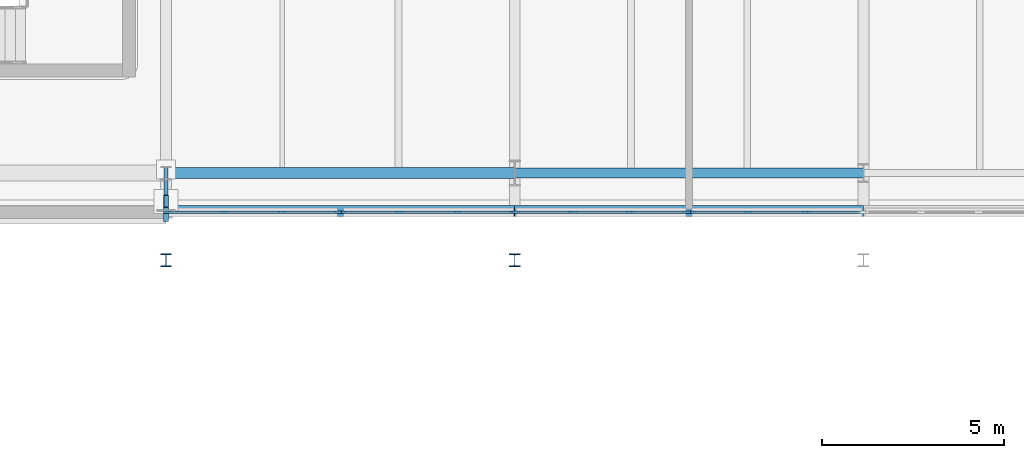
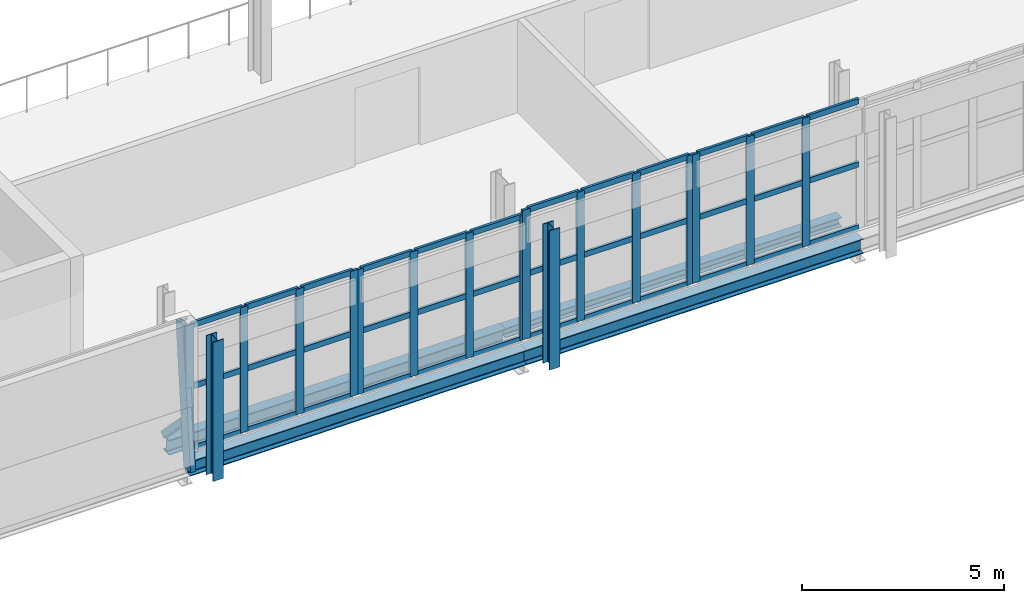
# One storey, part 19 of 57: 55 members, 4 beams, 4 elements without a shape of their own.
"""IFC4 building model written with IfcOpenShell, lengths in metres."""

from ifc_helpers import new_model, si_unit, direction, frame, origin, origin_2d, place, context, subcontext, project, spatial, rectangle, hollow_rectangle, i_section, extrude, material, layer, layer_set, material_profile, profile_set, type_object, element, aggregate, save


model = new_model("IFC4")

# Units and contexts
model_context = context("Model", 3, precision=1e-05, world=origin(), true_north=direction((0.0, 1.0)))
body_context = subcontext(model_context, "Body", "Model", "MODEL_VIEW")
ifc_project = project(units=[si_unit("LENGTHUNIT", "METRE"), si_unit("AREAUNIT", "SQUARE_METRE"), si_unit("VOLUMEUNIT", "CUBIC_METRE"), si_unit("PLANEANGLEUNIT", "RADIAN"), si_unit("MASSUNIT", "GRAM", prefix="KILO")], contexts=[model_context])

# Site, building, storey
site_placement = place(None, origin())
site = spatial("IfcSite", under=ifc_project, at=site_placement, CompositionType="ELEMENT")
building_placement = place(site_placement, origin())
building = spatial("IfcBuilding", under=site, at=building_placement, Name="Zereglee Splitstone Museum", CompositionType="ELEMENT")
storey_placement = place(building_placement, frame((0.0, 0.0, 17.10009765625)))
storey = spatial("IfcBuildingStorey", under=building, at=storey_placement, Name="L03", CompositionType="ELEMENT", Elevation=17.10009765625)

# Curtain wall, members
ifc_material_1 = material(Name="Triple-glazed low-E argon glass and bronze-anodised aluminium", Category="aluminium")
ifc_layer_1 = layer(ifc_material_1, 0.219970703125)
ifc_layer_set_1 = layer_set([ifc_layer_1], Name="Triple-glazed low-E argon glass and bronze-anodised aluminium")
curtain_wall_type_1 = type_object("IfcCurtainWallType", Name="CW-0476-378", PredefinedType="USERDEFINED", material=ifc_layer_set_1)
curtain_wall_1_placement = place(storey_placement, origin())
curtain_wall_1 = element("IfcCurtainWall", 1, at=curtain_wall_1_placement, inside=storey, type_object=curtain_wall_type_1, Name="Glazed Curtain Wall CW-0476-378 (L03)", ObjectType="GLAZED CURTAIN WALL", PredefinedType="USERDEFINED")
ifc_material_2 = material(Name="Thermally broken bronze-anodised aluminium", Category="aluminium")
ifc_material_profile_1 = material_profile(ifc_material_2, rectangle(XDim=0.074951171875, YDim=0.219970703125, at=origin_2d()), Name="CW MULL 75x220")
ifc_profile_set_1 = profile_set([ifc_material_profile_1], Name="Thermally broken bronze-anodised aluminium")
member_type_1 = type_object("IfcMemberType", Name="CWM-02", PredefinedType="MULLION", material=ifc_profile_set_1)
member_1_placement = place(storey_placement, frame((97.237548828125, 8.52001953125, 0.0), z_axis=(0.0, 0.0, 1.0), x_axis=(0.0, 1.0, 0.0)))
member_1 = element("IfcMember", 2, at=member_1_placement, type_object=member_type_1, Name="CW-0476-378 mullion 1", PredefinedType="MULLION", context=body_context, shape_type="SweptSolid", body=[
    extrude(rectangle(XDim=0.074951171875, YDim=0.219970703125, at=origin_2d()), origin(), (0.0, 0.0, 1.0), 3.77978515625),
])
member_2_placement = place(storey_placement, frame((98.78662109375, 8.52001953125, 0.0), z_axis=(0.0, 0.0, 1.0), x_axis=(0.0, 1.0, 0.0)))
member_2 = element("IfcMember", 3, at=member_2_placement, type_object=member_type_1, Name="CW-0476-378 mullion 2", PredefinedType="MULLION", context=body_context, shape_type="SweptSolid", body=[
    extrude(rectangle(XDim=0.074951171875, YDim=0.219970703125, at=origin_2d()), origin(), (0.0, 0.0, 1.0), 3.77978515625),
])
member_3_placement = place(storey_placement, frame((100.373291015625, 8.52001953125, 0.0), z_axis=(0.0, 0.0, 1.0), x_axis=(0.0, 1.0, 0.0)))
member_3 = element("IfcMember", 4, at=member_3_placement, type_object=member_type_1, Name="CW-0476-378 mullion 3", PredefinedType="MULLION", context=body_context, shape_type="SweptSolid", body=[
    extrude(rectangle(XDim=0.074951171875, YDim=0.219970703125, at=origin_2d()), origin(), (0.0, 0.0, 1.0), 3.77978515625),
])
member_4_placement = place(storey_placement, frame((101.922607421875, 8.52001953125, 0.0), z_axis=(0.0, 0.0, 1.0), x_axis=(0.0, 1.0, 0.0)))
member_4 = element("IfcMember", 5, at=member_4_placement, type_object=member_type_1, Name="CW-0476-378 mullion 4", PredefinedType="MULLION", context=body_context, shape_type="SweptSolid", body=[
    extrude(rectangle(XDim=0.074951171875, YDim=0.219970703125, at=origin_2d()), origin(), (0.0, 0.0, 1.0), 3.77978515625),
])

ifc_layer_2 = layer(ifc_material_1, 0.219970703125)
ifc_layer_set_2 = layer_set([ifc_layer_2], Name="Triple-glazed low-E argon glass and bronze-anodised aluminium")
curtain_wall_type_2 = type_object("IfcCurtainWallType", Name="CW-0476-376", PredefinedType="USERDEFINED", material=ifc_layer_set_2)
curtain_wall_2_placement = place(storey_placement, origin())
curtain_wall_2 = element("IfcCurtainWall", 6, at=curtain_wall_2_placement, inside=storey, type_object=curtain_wall_type_2, Name="Glazed Curtain Wall CW-0476-376 (L03)", ObjectType="GLAZED CURTAIN WALL", PredefinedType="USERDEFINED")
member_5_placement = place(storey_placement, frame((102.077392578125, 8.52001953125, 0.0), z_axis=(0.0, 0.0, 1.0), x_axis=(0.0, 1.0, 0.0)))
member_5 = element("IfcMember", 7, at=member_5_placement, type_object=member_type_1, Name="CW-0476-376 mullion 1", PredefinedType="MULLION", context=body_context, shape_type="SweptSolid", body=[
    extrude(rectangle(XDim=0.074951171875, YDim=0.219970703125, at=origin_2d()), origin(), (0.0, 0.0, 1.0), 3.760009765625),
])
member_6_placement = place(storey_placement, frame((103.626708984375, 8.52001953125, 0.0), z_axis=(0.0, 0.0, 1.0), x_axis=(0.0, 1.0, 0.0)))
member_6 = element("IfcMember", 8, at=member_6_placement, type_object=member_type_1, Name="CW-0476-376 mullion 2", PredefinedType="MULLION", context=body_context, shape_type="SweptSolid", body=[
    extrude(rectangle(XDim=0.074951171875, YDim=0.219970703125, at=origin_2d()), origin(), (0.0, 0.0, 1.0), 3.760009765625),
])
member_7_placement = place(storey_placement, frame((105.21337890625, 8.52001953125, 0.0), z_axis=(0.0, 0.0, 1.0), x_axis=(0.0, 1.0, 0.0)))
member_7 = element("IfcMember", 9, at=member_7_placement, type_object=member_type_1, Name="CW-0476-376 mullion 3", PredefinedType="MULLION", context=body_context, shape_type="SweptSolid", body=[
    extrude(rectangle(XDim=0.074951171875, YDim=0.219970703125, at=origin_2d()), origin(), (0.0, 0.0, 1.0), 3.760009765625),
])
member_8_placement = place(storey_placement, frame((106.762451171875, 8.52001953125, 0.0), z_axis=(0.0, 0.0, 1.0), x_axis=(0.0, 1.0, 0.0)))
member_8 = element("IfcMember", 10, at=member_8_placement, type_object=member_type_1, Name="CW-0476-376 mullion 4", PredefinedType="MULLION", context=body_context, shape_type="SweptSolid", body=[
    extrude(rectangle(XDim=0.074951171875, YDim=0.219970703125, at=origin_2d()), origin(), (0.0, 0.0, 1.0), 3.760009765625),
])

ifc_layer_3 = layer(ifc_material_1, 0.219970703125)
ifc_layer_set_3 = layer_set([ifc_layer_3], Name="Triple-glazed low-E argon glass and bronze-anodised aluminium")
curtain_wall_type_3 = type_object("IfcCurtainWallType", Name="CW-0476-390", PredefinedType="USERDEFINED", material=ifc_layer_set_3)
curtain_wall_3_placement = place(storey_placement, origin())
curtain_wall_3 = element("IfcCurtainWall", 11, at=curtain_wall_3_placement, inside=storey, type_object=curtain_wall_type_3, Name="Glazed Curtain Wall CW-0476-390 (L03)", ObjectType="GLAZED CURTAIN WALL", PredefinedType="USERDEFINED")
member_9_placement = place(storey_placement, frame((106.83740234375, 8.52001953125, 0.0), z_axis=(0.0, 0.0, 1.0), x_axis=(0.0, 1.0, 0.0)))
member_9 = element("IfcMember", 12, at=member_9_placement, type_object=member_type_1, Name="CW-0476-390 mullion 1", PredefinedType="MULLION", context=body_context, shape_type="SweptSolid", body=[
    extrude(rectangle(XDim=0.074951171875, YDim=0.219970703125, at=origin_2d()), origin(), (0.0, 0.0, 1.0), 3.89990234375),
])
member_10_placement = place(storey_placement, frame((108.38671875, 8.52001953125, 0.0), z_axis=(0.0, 0.0, 1.0), x_axis=(0.0, 1.0, 0.0)))
member_10 = element("IfcMember", 13, at=member_10_placement, type_object=member_type_1, Name="CW-0476-390 mullion 2", PredefinedType="MULLION", context=body_context, shape_type="SweptSolid", body=[
    extrude(rectangle(XDim=0.074951171875, YDim=0.219970703125, at=origin_2d()), origin(), (0.0, 0.0, 1.0), 3.89990234375),
])
member_11_placement = place(storey_placement, frame((109.973388671875, 8.52001953125, 0.0), z_axis=(0.0, 0.0, 1.0), x_axis=(0.0, 1.0, 0.0)))
member_11 = element("IfcMember", 14, at=member_11_placement, type_object=member_type_1, Name="CW-0476-390 mullion 3", PredefinedType="MULLION", context=body_context, shape_type="SweptSolid", body=[
    extrude(rectangle(XDim=0.074951171875, YDim=0.219970703125, at=origin_2d()), origin(), (0.0, 0.0, 1.0), 3.89990234375),
])
member_12_placement = place(storey_placement, frame((111.5224609375, 8.52001953125, 0.0), z_axis=(0.0, 0.0, 1.0), x_axis=(0.0, 1.0, 0.0)))
member_12 = element("IfcMember", 15, at=member_12_placement, type_object=member_type_1, Name="CW-0476-390 mullion 4", PredefinedType="MULLION", context=body_context, shape_type="SweptSolid", body=[
    extrude(rectangle(XDim=0.074951171875, YDim=0.219970703125, at=origin_2d()), origin(), (0.0, 0.0, 1.0), 3.89990234375),
])

ifc_layer_4 = layer(ifc_material_1, 0.219970703125)
ifc_layer_set_4 = layer_set([ifc_layer_4], Name="Triple-glazed low-E argon glass and bronze-anodised aluminium")
curtain_wall_type_4 = type_object("IfcCurtainWallType", Name="CW-0476-388", PredefinedType="USERDEFINED", material=ifc_layer_set_4)
curtain_wall_4_placement = place(storey_placement, origin())
curtain_wall_4 = element("IfcCurtainWall", 16, at=curtain_wall_4_placement, inside=storey, type_object=curtain_wall_type_4, Name="Glazed Curtain Wall CW-0476-388 (L03)", ObjectType="GLAZED CURTAIN WALL", PredefinedType="USERDEFINED")
member_13_placement = place(storey_placement, frame((111.677490234375, 8.52001953125, 0.0), z_axis=(0.0, 0.0, 1.0), x_axis=(0.0, 1.0, 0.0)))
member_13 = element("IfcMember", 17, at=member_13_placement, type_object=member_type_1, Name="CW-0476-388 mullion 1", PredefinedType="MULLION", context=body_context, shape_type="SweptSolid", body=[
    extrude(rectangle(XDim=0.074951171875, YDim=0.219970703125, at=origin_2d()), origin(), (0.0, 0.0, 1.0), 3.8798828125),
])
member_14_placement = place(storey_placement, frame((113.2265625, 8.52001953125, 0.0), z_axis=(0.0, 0.0, 1.0), x_axis=(0.0, 1.0, 0.0)))
member_14 = element("IfcMember", 18, at=member_14_placement, type_object=member_type_1, Name="CW-0476-388 mullion 2", PredefinedType="MULLION", context=body_context, shape_type="SweptSolid", body=[
    extrude(rectangle(XDim=0.074951171875, YDim=0.219970703125, at=origin_2d()), origin(), (0.0, 0.0, 1.0), 3.8798828125),
])
member_15_placement = place(storey_placement, frame((114.813232421875, 8.52001953125, 0.0), z_axis=(0.0, 0.0, 1.0), x_axis=(0.0, 1.0, 0.0)))
member_15 = element("IfcMember", 19, at=member_15_placement, type_object=member_type_1, Name="CW-0476-388 mullion 3", PredefinedType="MULLION", context=body_context, shape_type="SweptSolid", body=[
    extrude(rectangle(XDim=0.074951171875, YDim=0.219970703125, at=origin_2d()), origin(), (0.0, 0.0, 1.0), 3.8798828125),
])

# Member
ifc_material_profile_2 = material_profile(ifc_material_2, rectangle(XDim=0.074951171875, YDim=0.1650390625, at=origin_2d()), Name="CW TRAN 75x165")
ifc_profile_set_2 = profile_set([ifc_material_profile_2], Name="Thermally broken bronze-anodised aluminium")
member_type_2 = type_object("IfcMemberType", Name="CWT-02", PredefinedType="USERDEFINED", material=ifc_profile_set_2)
member_16_placement = place(storey_placement, frame((97.27490234375, 8.52001953125, 0.037353515625), z_axis=(1.0, 0.0, 0.0), x_axis=(0.0, 1.0, 0.0)))
member_16 = element("IfcMember", 20, at=member_16_placement, type_object=member_type_2, Name="CW-0476-378 transom 1.1", ObjectType="TRANSOM", PredefinedType="USERDEFINED", context=body_context, shape_type="SweptSolid", body=[
    extrude(rectangle(XDim=0.074951171875, YDim=0.1650390625, at=origin_2d()), origin(), (0.0, 0.0, 1.0), 1.474365234375),
])

member_17_placement = place(storey_placement, frame((97.27490234375, 8.52001953125, 1.889892578125), z_axis=(1.0, 0.0, 0.0), x_axis=(0.0, 1.0, 0.0)))
member_17 = element("IfcMember", 21, at=member_17_placement, type_object=member_type_2, Name="CW-0476-378 transom 1.2", ObjectType="TRANSOM", PredefinedType="USERDEFINED", context=body_context, shape_type="SweptSolid", body=[
    extrude(rectangle(XDim=0.074951171875, YDim=0.1650390625, at=origin_2d()), origin(), (0.0, 0.0, 1.0), 1.474365234375),
])

member_18_placement = place(storey_placement, frame((97.27490234375, 8.52001953125, 3.742431640625), z_axis=(1.0, 0.0, 0.0), x_axis=(0.0, 1.0, 0.0)))
member_18 = element("IfcMember", 22, at=member_18_placement, type_object=member_type_2, Name="CW-0476-378 transom 1.3", ObjectType="TRANSOM", PredefinedType="USERDEFINED", context=body_context, shape_type="SweptSolid", body=[
    extrude(rectangle(XDim=0.074951171875, YDim=0.1650390625, at=origin_2d()), origin(), (0.0, 0.0, 1.0), 1.474365234375),
])

member_19_placement = place(storey_placement, frame((98.82421875, 8.52001953125, 0.037353515625), z_axis=(1.0, 0.0, 0.0), x_axis=(0.0, 1.0, 0.0)))
member_19 = element("IfcMember", 23, at=member_19_placement, type_object=member_type_2, Name="CW-0476-378 transom 2.1", ObjectType="TRANSOM", PredefinedType="USERDEFINED", context=body_context, shape_type="SweptSolid", body=[
    extrude(rectangle(XDim=0.074951171875, YDim=0.1650390625, at=origin_2d()), origin(), (0.0, 0.0, 1.0), 1.51171875),
])

member_20_placement = place(storey_placement, frame((98.82421875, 8.52001953125, 1.889892578125), z_axis=(1.0, 0.0, 0.0), x_axis=(0.0, 1.0, 0.0)))
member_20 = element("IfcMember", 24, at=member_20_placement, type_object=member_type_2, Name="CW-0476-378 transom 2.2", ObjectType="TRANSOM", PredefinedType="USERDEFINED", context=body_context, shape_type="SweptSolid", body=[
    extrude(rectangle(XDim=0.074951171875, YDim=0.1650390625, at=origin_2d()), origin(), (0.0, 0.0, 1.0), 1.51171875),
])

member_21_placement = place(storey_placement, frame((98.82421875, 8.52001953125, 3.742431640625), z_axis=(1.0, 0.0, 0.0), x_axis=(0.0, 1.0, 0.0)))
member_21 = element("IfcMember", 25, at=member_21_placement, type_object=member_type_2, Name="CW-0476-378 transom 2.3", ObjectType="TRANSOM", PredefinedType="USERDEFINED", context=body_context, shape_type="SweptSolid", body=[
    extrude(rectangle(XDim=0.074951171875, YDim=0.1650390625, at=origin_2d()), origin(), (0.0, 0.0, 1.0), 1.51171875),
])

member_22_placement = place(storey_placement, frame((100.410888671875, 8.52001953125, 0.037353515625), z_axis=(1.0, 0.0, 0.0), x_axis=(0.0, 1.0, 0.0)))
member_22 = element("IfcMember", 26, at=member_22_placement, type_object=member_type_2, Name="CW-0476-378 transom 3.1", ObjectType="TRANSOM", PredefinedType="USERDEFINED", context=body_context, shape_type="SweptSolid", body=[
    extrude(rectangle(XDim=0.074951171875, YDim=0.1650390625, at=origin_2d()), origin(), (0.0, 0.0, 1.0), 1.47412109375),
])

member_23_placement = place(storey_placement, frame((100.410888671875, 8.52001953125, 1.889892578125), z_axis=(1.0, 0.0, 0.0), x_axis=(0.0, 1.0, 0.0)))
member_23 = element("IfcMember", 27, at=member_23_placement, type_object=member_type_2, Name="CW-0476-378 transom 3.2", ObjectType="TRANSOM", PredefinedType="USERDEFINED", context=body_context, shape_type="SweptSolid", body=[
    extrude(rectangle(XDim=0.074951171875, YDim=0.1650390625, at=origin_2d()), origin(), (0.0, 0.0, 1.0), 1.47412109375),
])

member_24_placement = place(storey_placement, frame((100.410888671875, 8.52001953125, 3.742431640625), z_axis=(1.0, 0.0, 0.0), x_axis=(0.0, 1.0, 0.0)))
member_24 = element("IfcMember", 28, at=member_24_placement, type_object=member_type_2, Name="CW-0476-378 transom 3.3", ObjectType="TRANSOM", PredefinedType="USERDEFINED", context=body_context, shape_type="SweptSolid", body=[
    extrude(rectangle(XDim=0.074951171875, YDim=0.1650390625, at=origin_2d()), origin(), (0.0, 0.0, 1.0), 1.47412109375),
])

aggregate(curtain_wall_1, [member_1, member_2, member_3, member_4, member_16, member_17, member_18, member_19, member_20, member_21, member_22, member_23, member_24])

member_25_placement = place(storey_placement, frame((102.114990234375, 8.52001953125, 0.037353515625), z_axis=(1.0, 0.0, 0.0), x_axis=(0.0, 1.0, 0.0)))
member_25 = element("IfcMember", 29, at=member_25_placement, type_object=member_type_2, Name="CW-0476-376 transom 1.1", ObjectType="TRANSOM", PredefinedType="USERDEFINED", context=body_context, shape_type="SweptSolid", body=[
    extrude(rectangle(XDim=0.074951171875, YDim=0.1650390625, at=origin_2d()), origin(), (0.0, 0.0, 1.0), 1.47412109375),
])

member_26_placement = place(storey_placement, frame((102.114990234375, 8.52001953125, 1.8798828125), z_axis=(1.0, 0.0, 0.0), x_axis=(0.0, 1.0, 0.0)))
member_26 = element("IfcMember", 30, at=member_26_placement, type_object=member_type_2, Name="CW-0476-376 transom 1.2", ObjectType="TRANSOM", PredefinedType="USERDEFINED", context=body_context, shape_type="SweptSolid", body=[
    extrude(rectangle(XDim=0.074951171875, YDim=0.1650390625, at=origin_2d()), origin(), (0.0, 0.0, 1.0), 1.47412109375),
])

member_27_placement = place(storey_placement, frame((102.114990234375, 8.52001953125, 3.722412109375), z_axis=(1.0, 0.0, 0.0), x_axis=(0.0, 1.0, 0.0)))
member_27 = element("IfcMember", 31, at=member_27_placement, type_object=member_type_2, Name="CW-0476-376 transom 1.3", ObjectType="TRANSOM", PredefinedType="USERDEFINED", context=body_context, shape_type="SweptSolid", body=[
    extrude(rectangle(XDim=0.074951171875, YDim=0.1650390625, at=origin_2d()), origin(), (0.0, 0.0, 1.0), 1.47412109375),
])

member_28_placement = place(storey_placement, frame((103.6640625, 8.52001953125, 0.037353515625), z_axis=(1.0, 0.0, 0.0), x_axis=(0.0, 1.0, 0.0)))
member_28 = element("IfcMember", 32, at=member_28_placement, type_object=member_type_2, Name="CW-0476-376 transom 2.1", ObjectType="TRANSOM", PredefinedType="USERDEFINED", context=body_context, shape_type="SweptSolid", body=[
    extrude(rectangle(XDim=0.074951171875, YDim=0.1650390625, at=origin_2d()), origin(), (0.0, 0.0, 1.0), 1.51171875),
])

member_29_placement = place(storey_placement, frame((103.6640625, 8.52001953125, 1.8798828125), z_axis=(1.0, 0.0, 0.0), x_axis=(0.0, 1.0, 0.0)))
member_29 = element("IfcMember", 33, at=member_29_placement, type_object=member_type_2, Name="CW-0476-376 transom 2.2", ObjectType="TRANSOM", PredefinedType="USERDEFINED", context=body_context, shape_type="SweptSolid", body=[
    extrude(rectangle(XDim=0.074951171875, YDim=0.1650390625, at=origin_2d()), origin(), (0.0, 0.0, 1.0), 1.51171875),
])

member_30_placement = place(storey_placement, frame((103.6640625, 8.52001953125, 3.722412109375), z_axis=(1.0, 0.0, 0.0), x_axis=(0.0, 1.0, 0.0)))
member_30 = element("IfcMember", 34, at=member_30_placement, type_object=member_type_2, Name="CW-0476-376 transom 2.3", ObjectType="TRANSOM", PredefinedType="USERDEFINED", context=body_context, shape_type="SweptSolid", body=[
    extrude(rectangle(XDim=0.074951171875, YDim=0.1650390625, at=origin_2d()), origin(), (0.0, 0.0, 1.0), 1.51171875),
])

member_31_placement = place(storey_placement, frame((105.250732421875, 8.52001953125, 0.037353515625), z_axis=(1.0, 0.0, 0.0), x_axis=(0.0, 1.0, 0.0)))
member_31 = element("IfcMember", 35, at=member_31_placement, type_object=member_type_2, Name="CW-0476-376 transom 3.1", ObjectType="TRANSOM", PredefinedType="USERDEFINED", context=body_context, shape_type="SweptSolid", body=[
    extrude(rectangle(XDim=0.074951171875, YDim=0.1650390625, at=origin_2d()), origin(), (0.0, 0.0, 1.0), 1.474365234375),
])

member_32_placement = place(storey_placement, frame((105.250732421875, 8.52001953125, 1.8798828125), z_axis=(1.0, 0.0, 0.0), x_axis=(0.0, 1.0, 0.0)))
member_32 = element("IfcMember", 36, at=member_32_placement, type_object=member_type_2, Name="CW-0476-376 transom 3.2", ObjectType="TRANSOM", PredefinedType="USERDEFINED", context=body_context, shape_type="SweptSolid", body=[
    extrude(rectangle(XDim=0.074951171875, YDim=0.1650390625, at=origin_2d()), origin(), (0.0, 0.0, 1.0), 1.474365234375),
])

member_33_placement = place(storey_placement, frame((105.250732421875, 8.52001953125, 3.722412109375), z_axis=(1.0, 0.0, 0.0), x_axis=(0.0, 1.0, 0.0)))
member_33 = element("IfcMember", 37, at=member_33_placement, type_object=member_type_2, Name="CW-0476-376 transom 3.3", ObjectType="TRANSOM", PredefinedType="USERDEFINED", context=body_context, shape_type="SweptSolid", body=[
    extrude(rectangle(XDim=0.074951171875, YDim=0.1650390625, at=origin_2d()), origin(), (0.0, 0.0, 1.0), 1.474365234375),
])

aggregate(curtain_wall_2, [member_5, member_6, member_7, member_8, member_25, member_26, member_27, member_28, member_29, member_30, member_31, member_32, member_33])

member_34_placement = place(storey_placement, frame((106.875, 8.52001953125, 0.037353515625), z_axis=(1.0, 0.0, 0.0), x_axis=(0.0, 1.0, 0.0)))
member_34 = element("IfcMember", 38, at=member_34_placement, type_object=member_type_2, Name="CW-0476-390 transom 1.1", ObjectType="TRANSOM", PredefinedType="USERDEFINED", context=body_context, shape_type="SweptSolid", body=[
    extrude(rectangle(XDim=0.074951171875, YDim=0.1650390625, at=origin_2d()), origin(), (0.0, 0.0, 1.0), 1.47412109375),
])

member_35_placement = place(storey_placement, frame((106.875, 8.52001953125, 1.949951171875), z_axis=(1.0, 0.0, 0.0), x_axis=(0.0, 1.0, 0.0)))
member_35 = element("IfcMember", 39, at=member_35_placement, type_object=member_type_2, Name="CW-0476-390 transom 1.2", ObjectType="TRANSOM", PredefinedType="USERDEFINED", context=body_context, shape_type="SweptSolid", body=[
    extrude(rectangle(XDim=0.074951171875, YDim=0.1650390625, at=origin_2d()), origin(), (0.0, 0.0, 1.0), 1.47412109375),
])

member_36_placement = place(storey_placement, frame((106.875, 8.52001953125, 3.8623046875), z_axis=(1.0, 0.0, 0.0), x_axis=(0.0, 1.0, 0.0)))
member_36 = element("IfcMember", 40, at=member_36_placement, type_object=member_type_2, Name="CW-0476-390 transom 1.3", ObjectType="TRANSOM", PredefinedType="USERDEFINED", context=body_context, shape_type="SweptSolid", body=[
    extrude(rectangle(XDim=0.074951171875, YDim=0.1650390625, at=origin_2d()), origin(), (0.0, 0.0, 1.0), 1.47412109375),
])

member_37_placement = place(storey_placement, frame((108.424072265625, 8.52001953125, 0.037353515625), z_axis=(1.0, 0.0, 0.0), x_axis=(0.0, 1.0, 0.0)))
member_37 = element("IfcMember", 41, at=member_37_placement, type_object=member_type_2, Name="CW-0476-390 transom 2.1", ObjectType="TRANSOM", PredefinedType="USERDEFINED", context=body_context, shape_type="SweptSolid", body=[
    extrude(rectangle(XDim=0.074951171875, YDim=0.1650390625, at=origin_2d()), origin(), (0.0, 0.0, 1.0), 1.51171875),
])

member_38_placement = place(storey_placement, frame((108.424072265625, 8.52001953125, 1.949951171875), z_axis=(1.0, 0.0, 0.0), x_axis=(0.0, 1.0, 0.0)))
member_38 = element("IfcMember", 42, at=member_38_placement, type_object=member_type_2, Name="CW-0476-390 transom 2.2", ObjectType="TRANSOM", PredefinedType="USERDEFINED", context=body_context, shape_type="SweptSolid", body=[
    extrude(rectangle(XDim=0.074951171875, YDim=0.1650390625, at=origin_2d()), origin(), (0.0, 0.0, 1.0), 1.51171875),
])

member_39_placement = place(storey_placement, frame((108.424072265625, 8.52001953125, 3.8623046875), z_axis=(1.0, 0.0, 0.0), x_axis=(0.0, 1.0, 0.0)))
member_39 = element("IfcMember", 43, at=member_39_placement, type_object=member_type_2, Name="CW-0476-390 transom 2.3", ObjectType="TRANSOM", PredefinedType="USERDEFINED", context=body_context, shape_type="SweptSolid", body=[
    extrude(rectangle(XDim=0.074951171875, YDim=0.1650390625, at=origin_2d()), origin(), (0.0, 0.0, 1.0), 1.51171875),
])

member_40_placement = place(storey_placement, frame((110.0107421875, 8.52001953125, 0.037353515625), z_axis=(1.0, 0.0, 0.0), x_axis=(0.0, 1.0, 0.0)))
member_40 = element("IfcMember", 44, at=member_40_placement, type_object=member_type_2, Name="CW-0476-390 transom 3.1", ObjectType="TRANSOM", PredefinedType="USERDEFINED", context=body_context, shape_type="SweptSolid", body=[
    extrude(rectangle(XDim=0.074951171875, YDim=0.1650390625, at=origin_2d()), origin(), (0.0, 0.0, 1.0), 1.474365234375),
])

member_41_placement = place(storey_placement, frame((110.0107421875, 8.52001953125, 1.949951171875), z_axis=(1.0, 0.0, 0.0), x_axis=(0.0, 1.0, 0.0)))
member_41 = element("IfcMember", 45, at=member_41_placement, type_object=member_type_2, Name="CW-0476-390 transom 3.2", ObjectType="TRANSOM", PredefinedType="USERDEFINED", context=body_context, shape_type="SweptSolid", body=[
    extrude(rectangle(XDim=0.074951171875, YDim=0.1650390625, at=origin_2d()), origin(), (0.0, 0.0, 1.0), 1.474365234375),
])

member_42_placement = place(storey_placement, frame((110.0107421875, 8.52001953125, 3.8623046875), z_axis=(1.0, 0.0, 0.0), x_axis=(0.0, 1.0, 0.0)))
member_42 = element("IfcMember", 46, at=member_42_placement, type_object=member_type_2, Name="CW-0476-390 transom 3.3", ObjectType="TRANSOM", PredefinedType="USERDEFINED", context=body_context, shape_type="SweptSolid", body=[
    extrude(rectangle(XDim=0.074951171875, YDim=0.1650390625, at=origin_2d()), origin(), (0.0, 0.0, 1.0), 1.474365234375),
])

aggregate(curtain_wall_3, [member_9, member_10, member_11, member_12, member_34, member_35, member_36, member_37, member_38, member_39, member_40, member_41, member_42])

member_43_placement = place(storey_placement, frame((111.715087890625, 8.52001953125, 0.037353515625), z_axis=(1.0, 0.0, 0.0), x_axis=(0.0, 1.0, 0.0)))
member_43 = element("IfcMember", 47, at=member_43_placement, type_object=member_type_2, Name="CW-0476-388 transom 1.1", ObjectType="TRANSOM", PredefinedType="USERDEFINED", context=body_context, shape_type="SweptSolid", body=[
    extrude(rectangle(XDim=0.074951171875, YDim=0.1650390625, at=origin_2d()), origin(), (0.0, 0.0, 1.0), 1.47412109375),
])

member_44_placement = place(storey_placement, frame((111.715087890625, 8.52001953125, 1.93994140625), z_axis=(1.0, 0.0, 0.0), x_axis=(0.0, 1.0, 0.0)))
member_44 = element("IfcMember", 48, at=member_44_placement, type_object=member_type_2, Name="CW-0476-388 transom 1.2", ObjectType="TRANSOM", PredefinedType="USERDEFINED", context=body_context, shape_type="SweptSolid", body=[
    extrude(rectangle(XDim=0.074951171875, YDim=0.1650390625, at=origin_2d()), origin(), (0.0, 0.0, 1.0), 1.47412109375),
])

member_45_placement = place(storey_placement, frame((111.715087890625, 8.52001953125, 3.84228515625), z_axis=(1.0, 0.0, 0.0), x_axis=(0.0, 1.0, 0.0)))
member_45 = element("IfcMember", 49, at=member_45_placement, type_object=member_type_2, Name="CW-0476-388 transom 1.3", ObjectType="TRANSOM", PredefinedType="USERDEFINED", context=body_context, shape_type="SweptSolid", body=[
    extrude(rectangle(XDim=0.074951171875, YDim=0.1650390625, at=origin_2d()), origin(), (0.0, 0.0, 1.0), 1.47412109375),
])

member_46_placement = place(storey_placement, frame((113.26416015625, 8.52001953125, 0.037353515625), z_axis=(1.0, 0.0, 0.0), x_axis=(0.0, 1.0, 0.0)))
member_46 = element("IfcMember", 50, at=member_46_placement, type_object=member_type_2, Name="CW-0476-388 transom 2.1", ObjectType="TRANSOM", PredefinedType="USERDEFINED", context=body_context, shape_type="SweptSolid", body=[
    extrude(rectangle(XDim=0.074951171875, YDim=0.1650390625, at=origin_2d()), origin(), (0.0, 0.0, 1.0), 1.51171875),
])

member_47_placement = place(storey_placement, frame((113.26416015625, 8.52001953125, 1.93994140625), z_axis=(1.0, 0.0, 0.0), x_axis=(0.0, 1.0, 0.0)))
member_47 = element("IfcMember", 51, at=member_47_placement, type_object=member_type_2, Name="CW-0476-388 transom 2.2", ObjectType="TRANSOM", PredefinedType="USERDEFINED", context=body_context, shape_type="SweptSolid", body=[
    extrude(rectangle(XDim=0.074951171875, YDim=0.1650390625, at=origin_2d()), origin(), (0.0, 0.0, 1.0), 1.51171875),
])

member_48_placement = place(storey_placement, frame((113.26416015625, 8.52001953125, 3.84228515625), z_axis=(1.0, 0.0, 0.0), x_axis=(0.0, 1.0, 0.0)))
member_48 = element("IfcMember", 52, at=member_48_placement, type_object=member_type_2, Name="CW-0476-388 transom 2.3", ObjectType="TRANSOM", PredefinedType="USERDEFINED", context=body_context, shape_type="SweptSolid", body=[
    extrude(rectangle(XDim=0.074951171875, YDim=0.1650390625, at=origin_2d()), origin(), (0.0, 0.0, 1.0), 1.51171875),
])

member_49_placement = place(storey_placement, frame((114.850830078125, 8.52001953125, 0.037353515625), z_axis=(1.0, 0.0, 0.0), x_axis=(0.0, 1.0, 0.0)))
member_49 = element("IfcMember", 53, at=member_49_placement, type_object=member_type_2, Name="CW-0476-388 transom 3.1", ObjectType="TRANSOM", PredefinedType="USERDEFINED", context=body_context, shape_type="SweptSolid", body=[
    extrude(rectangle(XDim=0.074951171875, YDim=0.1650390625, at=origin_2d()), origin(), (0.0, 0.0, 1.0), 1.47412109375),
])

member_50_placement = place(storey_placement, frame((114.850830078125, 8.52001953125, 1.93994140625), z_axis=(1.0, 0.0, 0.0), x_axis=(0.0, 1.0, 0.0)))
member_50 = element("IfcMember", 54, at=member_50_placement, type_object=member_type_2, Name="CW-0476-388 transom 3.2", ObjectType="TRANSOM", PredefinedType="USERDEFINED", context=body_context, shape_type="SweptSolid", body=[
    extrude(rectangle(XDim=0.074951171875, YDim=0.1650390625, at=origin_2d()), origin(), (0.0, 0.0, 1.0), 1.47412109375),
])

member_51_placement = place(storey_placement, frame((114.850830078125, 8.52001953125, 3.84228515625), z_axis=(1.0, 0.0, 0.0), x_axis=(0.0, 1.0, 0.0)))
member_51 = element("IfcMember", 55, at=member_51_placement, type_object=member_type_2, Name="CW-0476-388 transom 3.3", ObjectType="TRANSOM", PredefinedType="USERDEFINED", context=body_context, shape_type="SweptSolid", body=[
    extrude(rectangle(XDim=0.074951171875, YDim=0.1650390625, at=origin_2d()), origin(), (0.0, 0.0, 1.0), 1.47412109375),
])

aggregate(curtain_wall_4, [member_13, member_14, member_15, member_43, member_44, member_45, member_46, member_47, member_48, member_49, member_50, member_51])

# Members
ifc_material_3 = material(Name="Steel S355J2", Category="steel")
ifc_material_profile_3 = material_profile(ifc_material_3, i_section(OverallWidth=0.300048828125, OverallDepth=0.360107421875, WebThickness=0.012451171875, FlangeThickness=0.0224609375, FilletRadius=0.027099609375, at=origin_2d()), Name="HE 360 B")
ifc_profile_set_3 = profile_set([ifc_material_profile_3], Name="Steel S355J2")
member_type_3 = type_object("IfcMemberType", Name="TC-06", PredefinedType="CHORD", material=ifc_profile_set_3)
for number, where, z_axis, x_axis, name in (
    (56, (97.199951171875, 7.199951171875, 0.0), (0.0, 0.0, 1.0), (1.0, 0.0, 0.0), "Mughal Guldasta Hovering Portal Pier G05 L03"),
    (57, (106.800048828125, 7.199951171875, 0.0), (0.0, 0.0, 1.0), (1.0, 0.0, 0.0), "Mughal Guldasta Hovering Portal Pier G06 L03"),
):
    element("IfcMember", number, at=place(storey_placement, frame(where, z_axis=z_axis, x_axis=x_axis)), inside=storey, type_object=member_type_3, Name=name, PredefinedType="CHORD", context=body_context, shape_type="SweptSolid", body=[
        extrude(i_section(OverallWidth=0.300048828125, OverallDepth=0.360107421875, WebThickness=0.012451171875, FlangeThickness=0.0224609375, FilletRadius=0.027099609375, at=origin_2d()), origin(), (0.0, 0.0, 1.0), 4.199951171875),
    ])

# Beams
ifc_material_profile_4 = material_profile(ifc_material_3, i_section(OverallWidth=0.280029296875, OverallDepth=0.280029296875, WebThickness=0.010498046875, FlangeThickness=0.01806640625, FilletRadius=0.02392578125, at=origin_2d()), Name="HE 280 B")
ifc_profile_set_4 = profile_set([ifc_material_profile_4], Name="Steel S355J2")
beam_type_1 = type_object("IfcBeamType", Name="SP-03", PredefinedType="SPANDREL", material=ifc_profile_set_4)
beam_1_placement = place(storey_placement, frame((106.800048828125, 9.60009765625, -0.420166015625), z_axis=(1.0, 0.0, 0.0), x_axis=(0.0, 1.0, 0.0)))
element("IfcBeam", 58, at=beam_1_placement, inside=storey, type_object=beam_type_1, Name="Primary Girder L03 B (106.8-116.4)", PredefinedType="SPANDREL", context=body_context, shape_type="SweptSolid", body=[
    extrude(i_section(OverallWidth=0.280029296875, OverallDepth=0.280029296875, WebThickness=0.010498046875, FlangeThickness=0.01806640625, FilletRadius=0.02392578125, at=origin_2d()), origin(), (0.0, 0.0, 1.0), 9.599853515625),
])
ifc_material_profile_5 = material_profile(ifc_material_3, i_section(OverallWidth=0.300048828125, OverallDepth=0.449951171875, WebThickness=0.013916015625, FlangeThickness=0.02587890625, FilletRadius=0.027099609375, at=origin_2d()), Name="HE 450 B")
ifc_profile_set_5 = profile_set([ifc_material_profile_5], Name="Steel S355J2")
beam_type_2 = type_object("IfcBeamType", Name="SP-02", PredefinedType="SPANDREL", material=ifc_profile_set_5)
for number, where, z_axis, x_axis, name in (
    (59, (97.199951171875, 9.60009765625, -0.505126953125), (1.0, 0.0, 0.0), (0.0, 1.0, 0.0), "Primary Girder L03 B (97.2-106.8)"),
    (60, (97.199951171875, 8.550048828125, -0.505126953125), (1.0, 0.0, 0.0), (0.0, 1.0, 0.0), "Hovering Soffit Spandrel L03 (97.2-106.8)"),
):
    element("IfcBeam", number, at=place(storey_placement, frame(where, z_axis=z_axis, x_axis=x_axis)), inside=storey, type_object=beam_type_2, Name=name, PredefinedType="SPANDREL", context=body_context, shape_type="SweptSolid", body=[
        extrude(i_section(OverallWidth=0.300048828125, OverallDepth=0.449951171875, WebThickness=0.013916015625, FlangeThickness=0.02587890625, FilletRadius=0.027099609375, at=origin_2d()), origin(), (0.0, 0.0, 1.0), 9.60009765625),
    ])
beam_2_placement = place(storey_placement, frame((106.800048828125, 8.550048828125, -0.505126953125), z_axis=(1.0, 0.0, 0.0), x_axis=(0.0, 1.0, 0.0)))
element("IfcBeam", 61, at=beam_2_placement, inside=storey, type_object=beam_type_2, Name="Hovering Soffit Spandrel L03 (106.8-116.4)", PredefinedType="SPANDREL", context=body_context, shape_type="SweptSolid", body=[
    extrude(i_section(OverallWidth=0.300048828125, OverallDepth=0.449951171875, WebThickness=0.013916015625, FlangeThickness=0.02587890625, FilletRadius=0.027099609375, at=origin_2d()), origin(), (0.0, 0.0, 1.0), 9.599853515625),
])

# Members
ifc_material_4 = material(Name="Steel S355J2H", Category="steel")
ifc_material_profile_6 = material_profile(ifc_material_4, hollow_rectangle(XDim=0.14990234375, YDim=0.35009765625, WallThickness=0.012451171875, at=origin_2d()), Name="RHS 350x150x12.5")
ifc_profile_set_6 = profile_set([ifc_material_profile_6], Name="Steel S355J2H")
member_type_4 = type_object("IfcMemberType", Name="FS-R0", PredefinedType="STRUT", material=ifc_profile_set_6)
member_52_placement = place(storey_placement, frame((97.199951171875, 8.43798828125, -0.530029296875), z_axis=(0.0, 0.090914953193, 0.995858660296), x_axis=(-1.0, 0.0, 0.0)))
element("IfcMember", 62, at=member_52_placement, inside=storey, type_object=member_type_4, Name="Split-Rock Continuous Facet Strut FH-V2SW L03-03", PredefinedType="STRUT", context=body_context, shape_type="SweptSolid", body=[
    extrude(hollow_rectangle(XDim=0.14990234375, YDim=0.35009765625, WallThickness=0.012451171875, at=origin_2d()), origin(), (0.0, 0.0, 1.0), 4.237548828125),
])
ifc_material_profile_7 = material_profile(ifc_material_4, hollow_rectangle(XDim=0.1201171875, YDim=0.199951171875, WallThickness=0.008056640625, at=origin_2d()), Name="RHS 200x120x8")
ifc_profile_set_7 = profile_set([ifc_material_profile_7], Name="Steel S355J2H")
member_type_5 = type_object("IfcMemberType", Name="FS-T1", PredefinedType="STRUT", material=ifc_profile_set_7)
member_53_placement = place(storey_placement, frame((97.199951171875, 9.699951171875, -0.239990234375), z_axis=(0.0, -0.697696119972, 0.71639383315), x_axis=(1.0, 0.0, 0.0)))
element("IfcMember", 63, at=member_53_placement, inside=storey, type_object=member_type_5, Name="Facet Tie-Back Strut FH-V2SW L03-03", PredefinedType="STRUT", context=body_context, shape_type="SweptSolid", body=[
    extrude(hollow_rectangle(XDim=0.1201171875, YDim=0.199951171875, WallThickness=0.008056640625, at=origin_2d()), origin(), (0.0, 0.0, 1.0), 1.619140625),
])

save(model, "model.ifc")
